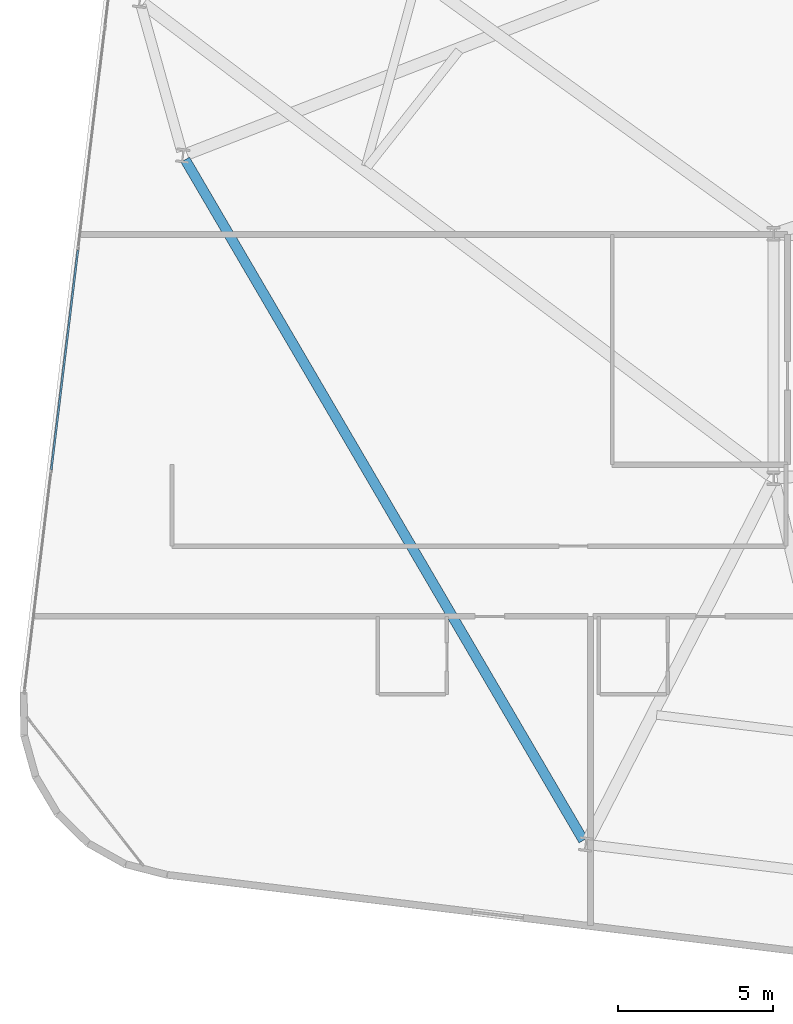
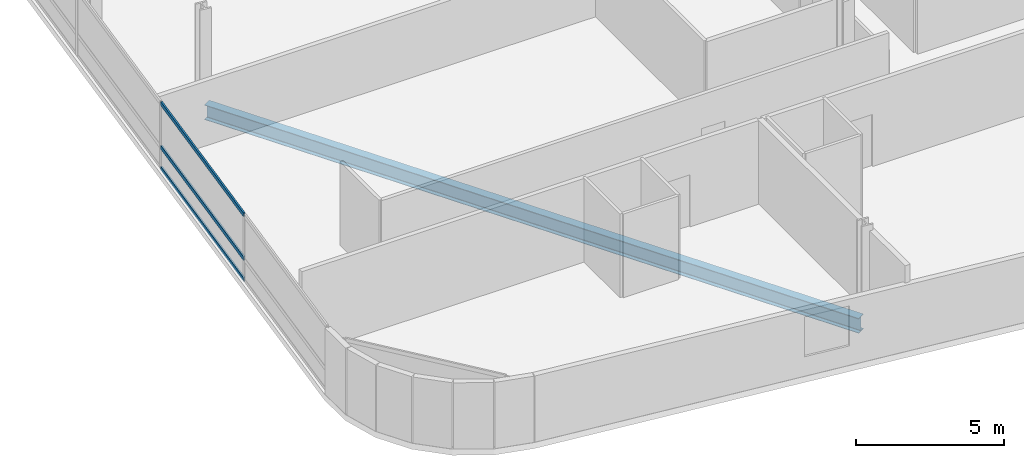
# One storey, part 5 of 25: 3 members, 1 beam, 1 element without a shape of its own.
"""IFC4 building model written with IfcOpenShell, lengths in metres."""

from ifc_helpers import new_model, si_unit, direction, frame, origin, origin_2d, place, context, subcontext, project, spatial, hollow_rectangle, i_section, extrude, material, layer, layer_set, material_profile, profile_set, type_object, element, aggregate, save


model = new_model("IFC4")

# Units and contexts
model_context = context("Model", 3, precision=1e-05, world=origin(), true_north=direction((0.0, 1.0)))
body_context = subcontext(model_context, "Body", "Model", "MODEL_VIEW")
ifc_project = project(units=[si_unit("LENGTHUNIT", "METRE"), si_unit("AREAUNIT", "SQUARE_METRE"), si_unit("VOLUMEUNIT", "CUBIC_METRE"), si_unit("PLANEANGLEUNIT", "RADIAN"), si_unit("MASSUNIT", "GRAM", prefix="KILO")], contexts=[model_context])

# Site, building, storey
site_placement = place(None, origin())
site = spatial("IfcSite", under=ifc_project, at=site_placement, CompositionType="ELEMENT")
building_placement = place(site_placement, origin())
building = spatial("IfcBuilding", under=site, at=building_placement, Name="Varnelok Gate Tower", CompositionType="ELEMENT")
storey_placement = place(building_placement, frame((0.0, 0.0, 136.5)))
storey = spatial("IfcBuildingStorey", under=building, at=storey_placement, Name="L34", CompositionType="ELEMENT", Elevation=136.5)

# Beam
ifc_material_1 = material(Name="Structural Steel ASTM A992 Grade 50", Category="steel")
ifc_material_profile_1 = material_profile(ifc_material_1, i_section(OverallWidth=0.323974609375, OverallDepth=0.611083984375, WebThickness=0.0126953125, FlangeThickness=0.01904296875, FilletRadius=0.01806640625, at=origin_2d()), Name="W24X104")
ifc_profile_set_1 = profile_set([ifc_material_profile_1], Name="Structural Steel ASTM A992 Grade 50")
beam_type = type_object("IfcBeamType", Name="BM-SPN-W24X104", PredefinedType="SPANDREL", material=ifc_profile_set_1)
beam_placement = place(storey_placement, frame((5.43115234375, 29.072021484375, -0.555419921875), z_axis=(0.504960797965, -0.863142278259, 0.0), x_axis=(0.863142278259, 0.504960797965, 0.0)))
element("IfcBeam", 1, at=beam_placement, inside=storey, type_object=beam_type, Name="L34 Perimeter Spandrel Beam 16", PredefinedType="SPANDREL", context=body_context, shape_type="SweptSolid", body=[
    extrude(i_section(OverallWidth=0.323974609375, OverallDepth=0.611083984375, WebThickness=0.0126953125, FlangeThickness=0.01904296875, FilletRadius=0.01806640625, at=origin_2d()), origin(), (0.0, 0.0, 1.0), 25.425537109375),
])

# Curtain wall, members
ifc_material_2 = material(Name="Anodized Aluminum Alloy 6063-T6", Category="aluminium")
ifc_layer = layer(ifc_material_2, 0.179931640625)
ifc_layer_set = layer_set([ifc_layer], Name="Anodized Aluminum Alloy 6063-T6")
curtain_wall_type = type_object("IfcCurtainWallType", Name="CW3-HOTEL-VISION", PredefinedType="USERDEFINED", material=ifc_layer_set)
curtain_wall_placement = place(storey_placement, origin())
curtain_wall = element("IfcCurtainWall", 2, at=curtain_wall_placement, inside=storey, type_object=curtain_wall_type, Name="L34 West End Vision Curtain Wall", ObjectType="UNITISED CURTAIN WALL", PredefinedType="USERDEFINED")
ifc_material_profile_2 = material_profile(ifc_material_2, hollow_rectangle(XDim=0.06494140625, YDim=0.159912109375, WallThickness=0.00390625, at=origin_2d()), Name="ALU160X65X4")
ifc_profile_set_2 = profile_set([ifc_material_profile_2], Name="Anodized Aluminum Alloy 6063-T6")
member_type = type_object("IfcMemberType", Name="CW-TRAN-160", PredefinedType="USERDEFINED", material=ifc_profile_set_2)
member_1_placement = place(storey_placement, frame((1.113525390625, 19.07080078125, 0.032470703125), z_axis=(0.120344652138, 0.992732171687, 0.0), x_axis=(-0.992732171687, 0.120344652138, 0.0)))
member_1 = element("IfcMember", 3, at=member_1_placement, type_object=member_type, Name="CW3 transom 2.1", ObjectType="TRANSOM", PredefinedType="USERDEFINED", context=body_context, shape_type="SweptSolid", body=[
    extrude(hollow_rectangle(XDim=0.06494140625, YDim=0.159912109375, WallThickness=0.00390625, at=origin_2d()), origin(), (0.0, 0.0, 1.0), 7.134765625),
])
member_2_placement = place(storey_placement, frame((1.113525390625, 19.07080078125, 0.89990234375), z_axis=(0.120344652138, 0.992732171687, 0.0), x_axis=(-0.992732171687, 0.120344652138, 0.0)))
member_2 = element("IfcMember", 4, at=member_2_placement, type_object=member_type, Name="CW3 transom 2.2", ObjectType="TRANSOM", PredefinedType="USERDEFINED", context=body_context, shape_type="SweptSolid", body=[
    extrude(hollow_rectangle(XDim=0.06494140625, YDim=0.159912109375, WallThickness=0.00390625, at=origin_2d()), origin(), (0.0, 0.0, 1.0), 7.134765625),
])
member_3_placement = place(storey_placement, frame((1.113525390625, 19.07080078125, 2.697509765625), z_axis=(0.120344652138, 0.992732171687, 0.0), x_axis=(-0.992732171687, 0.120344652138, 0.0)))
member_3 = element("IfcMember", 5, at=member_3_placement, type_object=member_type, Name="CW3 transom 2.3", ObjectType="TRANSOM", PredefinedType="USERDEFINED", context=body_context, shape_type="SweptSolid", body=[
    extrude(hollow_rectangle(XDim=0.06494140625, YDim=0.159912109375, WallThickness=0.00390625, at=origin_2d()), origin(), (0.0, 0.0, 1.0), 7.134765625),
])
aggregate(curtain_wall, [member_1, member_2, member_3])

save(model, "model.ifc")
